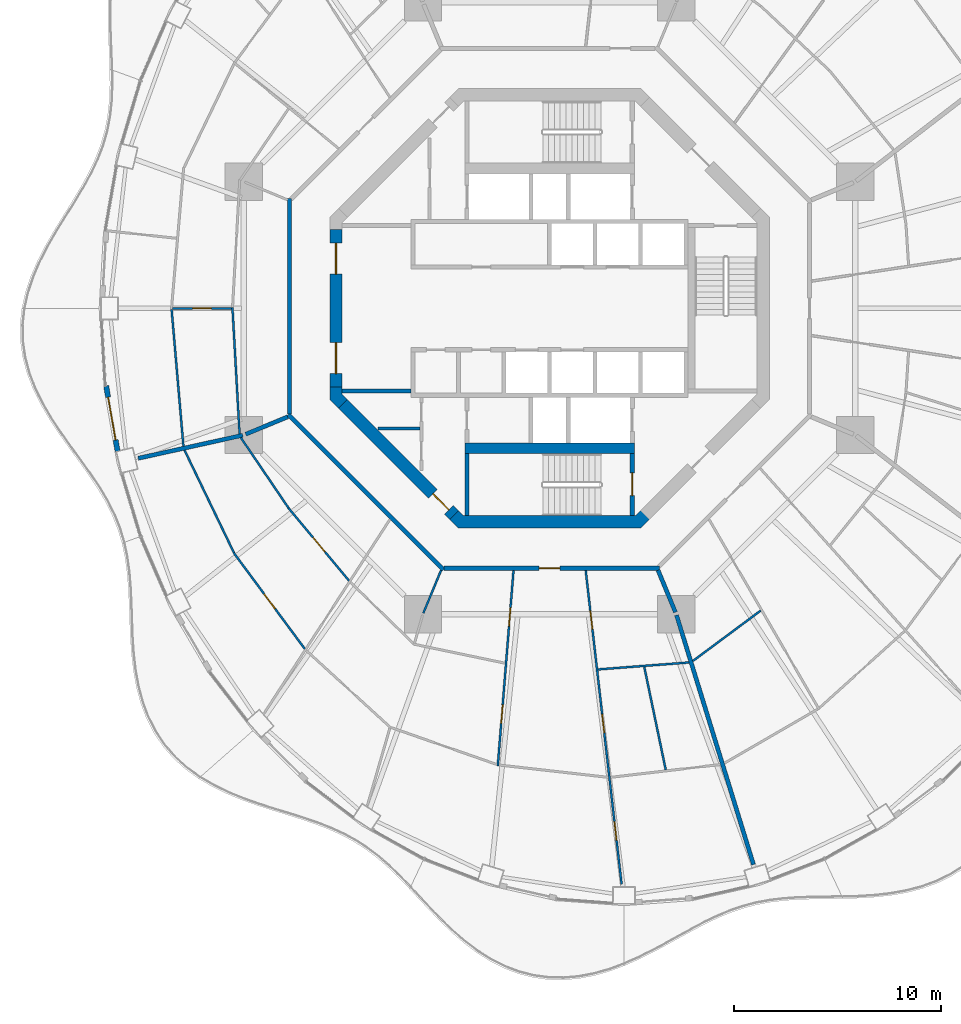
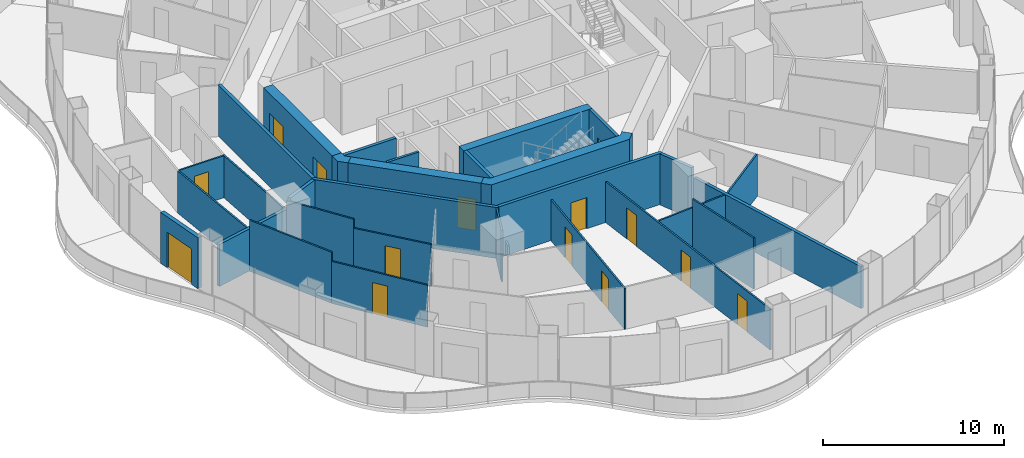
# One storey, part 11 of 19: 30 walls, 14 doors, 14 openings.
"""IFC4 building model written with IfcOpenShell, lengths in metres."""

from ifc_helpers import new_model, si_unit, direction, frame, frame_2d, origin, place, context, subcontext, project, spatial, polyline, rectangle, outline, extrude, material, layer, layer_set, type_object, element, fill, save


model = new_model("IFC4")

# Units and contexts
model_context = context("Model", 3, precision=1e-05, world=origin(), true_north=direction((0.0, 1.0)))
body_context = subcontext(model_context, "Body", "Model", "MODEL_VIEW")
ifc_project = project(units=[si_unit("LENGTHUNIT", "METRE"), si_unit("AREAUNIT", "SQUARE_METRE"), si_unit("VOLUMEUNIT", "CUBIC_METRE"), si_unit("PLANEANGLEUNIT", "RADIAN"), si_unit("MASSUNIT", "GRAM", prefix="KILO")], contexts=[model_context])

# Site, building, storey
site_placement = place(None, origin())
site = spatial("IfcSite", under=ifc_project, at=site_placement, CompositionType="ELEMENT")
building_placement = place(site_placement, origin())
building = spatial("IfcBuilding", under=site, at=building_placement, Name="Nagisa Residences", CompositionType="ELEMENT")
storey_placement = place(building_placement, frame((0.0, 0.0, 195.5)))
storey = spatial("IfcBuildingStorey", under=building, at=storey_placement, Name="L49", CompositionType="ELEMENT", Elevation=195.5)

# Walls
ifc_material_1 = material(Name="Gypsum board on steel studs", Category="steel")
ifc_layer_1 = layer(ifc_material_1, 0.199951171875)
ifc_layer_set_1 = layer_set([ifc_layer_1], Name="Apartment compartment wall EI60 200")
wall_type_1 = type_object("IfcWallType", Name="Apartment compartment wall EI60 200", PredefinedType="PARTITIONING", material=ifc_layer_set_1)
wall_1_placement = place(storey_placement, frame((-12.6572265625, -5.24267578125, 0.0), z_axis=(0.0, 0.0, 1.0), x_axis=(-0.923859888513, -0.38273085373, 0.0)))
element("IfcWall", 1, at=wall_1_placement, inside=storey, type_object=wall_type_1, Name="wall:L49:u04", PredefinedType="PARTITIONING", context=body_context, shape_type="SweptSolid", body=[
    extrude(rectangle(XDim=2.199462890625, YDim=0.199951171875, at=frame_2d((1.099609375, 0.0))), origin(), (0.0, 0.0, 1.0), 3.43994140625),
])
wall_2_placement = place(storey_placement, frame((-14.830810546875, -6.133544921875, 0.0), z_axis=(0.0, 0.0, 1.0), x_axis=(-0.976568396888, -0.215207263354, 0.0)))
element("IfcWall", 2, at=wall_2_placement, inside=storey, type_object=wall_type_1, Name="wall:L49:u05", PredefinedType="PARTITIONING", context=body_context, shape_type="SweptSolid", body=[
    extrude(rectangle(XDim=5.176513671875, YDim=0.199951171875, at=frame_2d((2.58837890625, 0.0))), origin(), (0.0, 0.0, 1.0), 2.8369140625),
])
wall_3_placement = place(storey_placement, frame((5.24267578125, -12.6572265625, 0.0), z_axis=(0.0, 0.0, 1.0), x_axis=(0.382747093259, -0.923853160736, 0.0)))
element("IfcWall", 3, at=wall_3_placement, inside=storey, type_object=wall_type_1, Name="wall:L49:u06", PredefinedType="PARTITIONING", context=body_context, shape_type="SweptSolid", body=[
    extrude(rectangle(XDim=2.199951171875, YDim=0.199951171875, at=frame_2d((1.10009765625, 0.0))), origin(), (0.0, 0.0, 1.0), 3.43994140625),
])
wall_4_placement = place(storey_placement, frame((6.1376953125, -14.829833984375, 0.0), z_axis=(0.0, 0.0, 1.0), x_axis=(0.294818517221, -0.955553264818, 0.0)))
element("IfcWall", 4, at=wall_4_placement, inside=storey, type_object=wall_type_1, Name="wall:L49:u07", PredefinedType="PARTITIONING", context=body_context, shape_type="SweptSolid", body=[
    extrude(rectangle(XDim=12.619384765625, YDim=0.199951171875, at=frame_2d((6.3095703125, 0.0))), origin(), (0.0, 0.0, 1.0), 2.8369140625),
])
ifc_material_2 = material(Name="Gypsum board on steel studs", Category="steel")
ifc_layer_2 = layer(ifc_material_2, 0.199951171875)
ifc_layer_set_2 = layer_set([ifc_layer_2], Name="Apartment entry wall EI60 200")
wall_type_2 = type_object("IfcWallType", Name="Apartment entry wall EI60 200", PredefinedType="PARTITIONING", material=ifc_layer_set_2)
wall_5_placement = place(storey_placement, frame((-12.564697265625, 5.304443359375, 0.0), z_axis=(0.0, 0.0, 1.0), x_axis=(0.0, -1.0, 0.0)))
element("IfcWall", 5, at=wall_5_placement, inside=storey, type_object=wall_type_2, Name="wall:L49:u14", PredefinedType="PARTITIONING", context=body_context, shape_type="SweptSolid", body=[
    extrude(rectangle(XDim=10.408935546875, YDim=0.199951171875, at=frame_2d((5.20458984375, 0.0))), origin(), (0.0, 0.0, 1.0), 3.43994140625),
])
wall_6_placement = place(storey_placement, frame((-12.635498046875, -5.1337890625, 0.0), z_axis=(0.0, 0.0, 1.0), x_axis=(0.707106781187, -0.707106781187, 0.0)))
element("IfcWall", 6, at=wall_6_placement, inside=storey, type_object=wall_type_2, Name="wall:L49:u15", PredefinedType="PARTITIONING", context=body_context, shape_type="SweptSolid", body=[
    extrude(rectangle(XDim=10.609130859375, YDim=0.199951171875, at=frame_2d((5.3046875, 0.0))), origin(), (0.0, 0.0, 1.0), 3.43994140625),
])

# Wall, opening, door
wall_7_placement = place(storey_placement, frame((-5.1044921875, -12.564697265625, 0.0), z_axis=(0.0, 0.0, 1.0), x_axis=(1.0, 0.0, 0.0)))
wall_7 = element("IfcWall", 7, at=wall_7_placement, inside=storey, type_object=wall_type_2, Name="wall:L49:u16", PredefinedType="PARTITIONING", context=body_context, shape_type="SweptSolid", body=[
    extrude(rectangle(XDim=10.408935546875, YDim=0.199951171875, at=frame_2d((5.20458984375, 0.0))), origin(), (0.0, 0.0, 1.0), 3.43994140625),
])
opening_1_placement = place(wall_7_placement, frame((4.6044921875, 0.0, 0.0)))
opening_1 = element("IfcOpeningElement", 8, at=opening_1_placement, cuts=wall_7, Name="Opening L49-U01", PredefinedType="OPENING", context=body_context, shape_type="SweptSolid", body=[
    extrude(rectangle(XDim=1.0, YDim=2.10009765625, at=frame_2d((0.5, 1.050048828125))), frame((0.0, 0.10986328125, 0.0), z_axis=(0.0, -1.0, 0.0), x_axis=(1.0, 0.0, 0.0)), (0.0, 0.0, 1.0), 0.219970703125),
])
ifc_material_3 = material(Name="Timber fire door set", Category="wood")
door_type_1 = type_object("IfcDoorType", Name="Apartment entry door FD30S 1000x2100", OperationType="NOTDEFINED", PredefinedType="DOOR", material=ifc_material_3)
door_1_placement = place(opening_1_placement, frame((1.0, 0.0, 0.0), x_axis=(-1.0, 0.0, 0.0)))
door_1 = element("IfcDoor", 9, at=door_1_placement, inside=storey, type_object=door_type_1, Name="Entry door, Apartment 49A", OperationType="SINGLE_SWING_RIGHT", OverallHeight=2.10009765625, OverallWidth=1.0, PredefinedType="DOOR", context=body_context, shape_type="SweptSolid", body=[
    extrude(rectangle(XDim=1.0, YDim=2.10009765625, at=frame_2d((0.5, 1.050048828125))), frame((0.0, 0.02490234375, 0.0), z_axis=(0.0, -1.0, 0.0), x_axis=(1.0, 0.0, 0.0)), (0.0, 0.0, 1.0), 0.050048828125),
])
fill(opening_1, door_1)

ifc_material_4 = material(Name="Gypsum board on steel studs", Category="steel")
ifc_layer_3 = layer(ifc_material_4, 0.10009765625)
ifc_layer_set_3 = layer_set([ifc_layer_3], Name="Apartment partition 100")
wall_type_3 = type_object("IfcWallType", Name="Apartment partition 100", PredefinedType="PARTITIONING", material=ifc_layer_set_3)
wall_8_placement = place(storey_placement, frame((-15.3779296875, 0.0, 0.0), z_axis=(0.0, 0.0, 1.0), x_axis=(-1.0, 0.0, 0.0)))
wall_8 = element("IfcWall", 10, at=wall_8_placement, inside=storey, type_object=wall_type_3, Name="wall:L49:u55", PredefinedType="PARTITIONING", context=body_context, shape_type="SweptSolid", body=[
    extrude(rectangle(XDim=2.84716796875, YDim=0.10009765625, at=frame_2d((1.423583984375, 0.0))), origin(), (0.0, 0.0, 1.0), 2.8369140625),
])
opening_2_placement = place(wall_8_placement, frame((0.9736328125, 0.0, 0.0)))
opening_2 = element("IfcOpeningElement", 11, at=opening_2_placement, cuts=wall_8, Name="Opening L49-U48", PredefinedType="OPENING", context=body_context, shape_type="SweptSolid", body=[
    extrude(rectangle(XDim=0.89990234375, YDim=2.10009765625, at=frame_2d((0.449951171875, 1.050048828125))), frame((0.0, 0.06005859375, 0.0), z_axis=(0.0, -1.0, 0.0), x_axis=(1.0, 0.0, 0.0)), (0.0, 0.0, 1.0), 0.1201171875),
])
ifc_material_5 = material(Name="Timber door set", Category="wood")
door_type_2 = type_object("IfcDoorType", Name="Apartment door 900x2100", OperationType="NOTDEFINED", PredefinedType="DOOR", material=ifc_material_5)
door_2_placement = place(opening_2_placement, origin())
door_2 = element("IfcDoor", 12, at=door_2_placement, inside=storey, type_object=door_type_2, Name="Door to study, Apartment 49E", OperationType="SINGLE_SWING_RIGHT", OverallHeight=2.10009765625, OverallWidth=0.89990234375, PredefinedType="DOOR", context=body_context, shape_type="SweptSolid", body=[
    extrude(rectangle(XDim=0.89990234375, YDim=2.10009765625, at=frame_2d((0.449951171875, 1.050048828125))), frame((0.0, 0.02490234375, 0.0), z_axis=(0.0, -1.0, 0.0), x_axis=(1.0, 0.0, 0.0)), (0.0, 0.0, 1.0), 0.050048828125),
])
fill(opening_2, door_2)

# Walls
wall_9_placement = place(storey_placement, frame((-15.33056640625, 0.0498046875, 0.0), z_axis=(0.0, 0.0, 1.0), x_axis=(0.056310939406, -0.998413280212, 0.0)))
element("IfcWall", 13, at=wall_9_placement, inside=storey, type_object=wall_type_3, Name="wall:L49:u56", PredefinedType="PARTITIONING", context=body_context, shape_type="SweptSolid", body=[
    extrude(rectangle(XDim=6.126220703125, YDim=0.10009765625, at=frame_2d((3.06298828125, 0.0))), origin(), (0.0, 0.0, 1.0), 2.8369140625),
])
wall_10_placement = place(storey_placement, frame((-18.270751953125, -0.0498046875, 0.0), z_axis=(0.0, 0.0, 1.0), x_axis=(0.086012321907, -0.996294073294, 0.0)))
element("IfcWall", 14, at=wall_10_placement, inside=storey, type_object=wall_type_3, Name="wall:L49:u57", PredefinedType="PARTITIONING", context=body_context, shape_type="SweptSolid", body=[
    extrude(rectangle(XDim=6.63916015625, YDim=0.10009765625, at=frame_2d((3.319580078125, 0.0))), origin(), (0.0, 0.0, 1.0), 2.8369140625),
])
wall_11_placement = place(storey_placement, frame((-14.923828125, -6.249267578125, 0.0), z_axis=(0.0, 0.0, 1.0), x_axis=(0.561046521684, -0.82778427172, 0.0)))
element("IfcWall", 15, at=wall_11_placement, inside=storey, type_object=wall_type_3, Name="wall:L49:u58", PredefinedType="PARTITIONING", context=body_context, shape_type="SweptSolid", body=[
    extrude(rectangle(XDim=4.108642578125, YDim=0.10009765625, at=frame_2d((2.05419921875, 0.0))), origin(), (0.0, 0.0, 1.0), 3.43994140625),
])
wall_12_placement = place(storey_placement, frame((-17.6474609375, -6.85400390625, 0.0), z_axis=(0.0, 0.0, 1.0), x_axis=(0.434027506504, -0.900899619046, 0.0)))
element("IfcWall", 16, at=wall_12_placement, inside=storey, type_object=wall_type_3, Name="wall:L49:u59", PredefinedType="PARTITIONING", context=body_context, shape_type="SweptSolid", body=[
    extrude(rectangle(XDim=5.508056640625, YDim=0.10009765625, at=frame_2d((2.75390625, 0.0))), origin(), (0.0, 0.0, 1.0), 3.43994140625),
])

# Wall, opening, door
wall_13_placement = place(storey_placement, frame((-12.62255859375, -9.6533203125, 0.0), z_axis=(0.0, 0.0, 1.0), x_axis=(0.640315711982, -0.768111833647, 0.0)))
wall_13 = element("IfcWall", 17, at=wall_13_placement, inside=storey, type_object=wall_type_3, Name="wall:L49:u60", PredefinedType="PARTITIONING", context=body_context, shape_type="SweptSolid", body=[
    extrude(rectangle(XDim=4.571533203125, YDim=0.10009765625, at=frame_2d((2.28564453125, 0.0))), origin(), (0.0, 0.0, 1.0), 2.8369140625),
])
opening_3_placement = place(wall_13_placement, frame((1.86083984375, 0.0, 0.0)))
opening_3 = element("IfcOpeningElement", 18, at=opening_3_placement, cuts=wall_13, Name="Opening L49-U13", PredefinedType="OPENING", context=body_context, shape_type="SweptSolid", body=[
    extrude(rectangle(XDim=0.89990234375, YDim=2.10009765625, at=frame_2d((0.449951171875, 1.050048828125))), frame((0.0, 0.06005859375, 0.0), z_axis=(0.0, -1.0, 0.0), x_axis=(1.0, 0.0, 0.0)), (0.0, 0.0, 1.0), 0.1201171875),
])
door_3_placement = place(opening_3_placement, origin())
door_3 = element("IfcDoor", 19, at=door_3_placement, inside=storey, type_object=door_type_2, Name="Door to store, Apartment 49A", OperationType="SINGLE_SWING_LEFT", OverallHeight=2.10009765625, OverallWidth=0.89990234375, PredefinedType="DOOR", context=body_context, shape_type="SweptSolid", body=[
    extrude(rectangle(XDim=0.89990234375, YDim=2.10009765625, at=frame_2d((0.449951171875, 1.050048828125))), frame((0.0, 0.02490234375, 0.0), z_axis=(0.0, -1.0, 0.0), x_axis=(1.0, 0.0, 0.0)), (0.0, 0.0, 1.0), 0.050048828125),
])
fill(opening_3, door_3)

wall_14_placement = place(storey_placement, frame((-15.264892578125, -11.821044921875, 0.0), z_axis=(0.0, 0.0, 1.0), x_axis=(0.594721645029, -0.803931691709, 0.0)))
wall_14 = element("IfcWall", 20, at=wall_14_placement, inside=storey, type_object=wall_type_3, Name="wall:L49:u61", PredefinedType="PARTITIONING", context=body_context, shape_type="SweptSolid", body=[
    extrude(rectangle(XDim=5.771728515625, YDim=0.10009765625, at=frame_2d((2.8857421875, 0.0))), origin(), (0.0, 0.0, 1.0), 2.8369140625),
])
opening_4_placement = place(wall_14_placement, frame((2.460693359375, 0.0, 0.0)))
opening_4 = element("IfcOpeningElement", 21, at=opening_4_placement, cuts=wall_14, Name="Opening L49-U12", PredefinedType="OPENING", context=body_context, shape_type="SweptSolid", body=[
    extrude(rectangle(XDim=0.89990234375, YDim=2.10009765625, at=frame_2d((0.449951171875, 1.050048828125))), frame((0.0, 0.06005859375, 0.0), z_axis=(0.0, -1.0, 0.0), x_axis=(1.0, 0.0, 0.0)), (0.0, 0.0, 1.0), 0.1201171875),
])
door_4_placement = place(opening_4_placement, frame((0.89990234375, 0.0, 0.0), x_axis=(-1.0, 0.0, 0.0)))
door_4 = element("IfcDoor", 22, at=door_4_placement, inside=storey, type_object=door_type_2, Name="Door to living room, Apartment 49A", OperationType="SINGLE_SWING_LEFT", OverallHeight=2.10009765625, OverallWidth=0.89990234375, PredefinedType="DOOR", context=body_context, shape_type="SweptSolid", body=[
    extrude(rectangle(XDim=0.89990234375, YDim=2.10009765625, at=frame_2d((0.449951171875, 1.050048828125))), frame((0.0, 0.02490234375, 0.0), z_axis=(0.0, -1.0, 0.0), x_axis=(1.0, 0.0, 0.0)), (0.0, 0.0, 1.0), 0.050048828125),
])
fill(opening_4, door_4)

# Wall
wall_15_placement = place(storey_placement, frame((-5.24267578125, -12.6572265625, 0.0), z_axis=(0.0, 0.0, 1.0), x_axis=(-0.382719158442, -0.923864733477, 0.0)))
element("IfcWall", 23, at=wall_15_placement, inside=storey, type_object=wall_type_3, Name="wall:L49:u65", PredefinedType="PARTITIONING", context=body_context, shape_type="SweptSolid", body=[
    extrude(rectangle(XDim=2.25, YDim=0.10009765625, at=frame_2d((1.125, 0.0))), origin(), (0.0, 0.0, 1.0), 3.43994140625),
])

# Wall, openings, doors
wall_16_placement = place(storey_placement, frame((-1.742919921875, -12.66455078125, 0.0), z_axis=(0.0, 0.0, 1.0), x_axis=(-0.080170892619, -0.996781133437, 0.0)))
wall_16 = element("IfcWall", 24, at=wall_16_placement, inside=storey, type_object=wall_type_3, Name="wall:L49:u70", PredefinedType="PARTITIONING", context=body_context, shape_type="SweptSolid", body=[
    extrude(rectangle(XDim=9.48291015625, YDim=0.10009765625, at=frame_2d((4.741455078125, 0.0))), origin(), (0.0, 0.0, 1.0), 2.756103515625),
])
opening_5_placement = place(wall_16_placement, frame((1.806396484375, 0.0, 0.0)))
opening_5 = element("IfcOpeningElement", 25, at=opening_5_placement, cuts=wall_16, Name="Opening L49-U02", PredefinedType="OPENING", context=body_context, shape_type="SweptSolid", body=[
    extrude(rectangle(XDim=0.89990234375, YDim=2.10009765625, at=frame_2d((0.449951171875, 1.050048828125))), frame((0.0, 0.06005859375, 0.0), z_axis=(0.0, -1.0, 0.0), x_axis=(1.0, 0.0, 0.0)), (0.0, 0.0, 1.0), 0.1201171875),
])
opening_6_placement = place(wall_16_placement, frame((6.52294921875, 0.0, 0.0)))
opening_6 = element("IfcOpeningElement", 26, at=opening_6_placement, cuts=wall_16, Name="Opening L49-U04", PredefinedType="OPENING", context=body_context, shape_type="SweptSolid", body=[
    extrude(rectangle(XDim=0.89990234375, YDim=2.10009765625, at=frame_2d((0.449951171875, 1.050048828125))), frame((0.0, 0.06005859375, 0.0), z_axis=(0.0, -1.0, 0.0), x_axis=(1.0, 0.0, 0.0)), (0.0, 0.0, 1.0), 0.1201171875),
])
door_5_placement = place(opening_5_placement, frame((0.89990234375, 0.0, 0.0), x_axis=(-1.0, 0.0, 0.0)))
door_5 = element("IfcDoor", 27, at=door_5_placement, inside=storey, type_object=door_type_2, Name="Door to family bathroom, Apartment 49A", OperationType="SINGLE_SWING_LEFT", OverallHeight=2.10009765625, OverallWidth=0.89990234375, PredefinedType="DOOR", context=body_context, shape_type="SweptSolid", body=[
    extrude(rectangle(XDim=0.89990234375, YDim=2.10009765625, at=frame_2d((0.449951171875, 1.050048828125))), frame((0.0, 0.02490234375, 0.0), z_axis=(0.0, -1.0, 0.0), x_axis=(1.0, 0.0, 0.0)), (0.0, 0.0, 1.0), 0.050048828125),
])
fill(opening_5, door_5)
door_6_placement = place(opening_6_placement, frame((0.89990234375, 0.0, 0.0), x_axis=(-1.0, 0.0, 0.0)))
door_6 = element("IfcDoor", 28, at=door_6_placement, inside=storey, type_object=door_type_2, Name="Door to dining room, Apartment 49A", OperationType="SINGLE_SWING_LEFT", OverallHeight=2.10009765625, OverallWidth=0.89990234375, PredefinedType="DOOR", context=body_context, shape_type="SweptSolid", body=[
    extrude(rectangle(XDim=0.89990234375, YDim=2.10009765625, at=frame_2d((0.449951171875, 1.050048828125))), frame((0.0, 0.02490234375, 0.0), z_axis=(0.0, -1.0, 0.0), x_axis=(1.0, 0.0, 0.0)), (0.0, 0.0, 1.0), 0.050048828125),
])
fill(opening_6, door_6)

wall_17_placement = place(storey_placement, frame((1.74609375, -12.6640625, 0.0), z_axis=(0.0, 0.0, 1.0), x_axis=(0.113624134758, -0.993523807465, 0.0)))
wall_17 = element("IfcWall", 29, at=wall_17_placement, inside=storey, type_object=wall_type_3, Name="wall:L49:u72", PredefinedType="PARTITIONING", context=body_context, shape_type="SweptSolid", body=[
    extrude(rectangle(XDim=15.272705078125, YDim=0.10009765625, at=frame_2d((7.63623046875, 0.0))), origin(), (0.0, 0.0, 1.0), 2.756103515625),
])
opening_7_placement = place(wall_17_placement, frame((1.96240234375, 0.0, 0.0)))
opening_7 = element("IfcOpeningElement", 30, at=opening_7_placement, cuts=wall_17, Name="Opening L49-U03", PredefinedType="OPENING", context=body_context, shape_type="SweptSolid", body=[
    extrude(rectangle(XDim=0.89990234375, YDim=2.10009765625, at=frame_2d((0.449951171875, 1.050048828125))), frame((0.0, 0.06005859375, 0.0), z_axis=(0.0, -1.0, 0.0), x_axis=(1.0, 0.0, 0.0)), (0.0, 0.0, 1.0), 0.1201171875),
])
opening_8_placement = place(wall_17_placement, frame((7.001708984375, 0.0, 0.0)))
opening_8 = element("IfcOpeningElement", 31, at=opening_8_placement, cuts=wall_17, Name="Opening L49-U05", PredefinedType="OPENING", context=body_context, shape_type="SweptSolid", body=[
    extrude(rectangle(XDim=0.89990234375, YDim=2.10009765625, at=frame_2d((0.449951171875, 1.050048828125))), frame((0.0, 0.06005859375, 0.0), z_axis=(0.0, -1.0, 0.0), x_axis=(1.0, 0.0, 0.0)), (0.0, 0.0, 1.0), 0.1201171875),
])
opening_9_placement = place(wall_17_placement, frame((12.2255859375, 0.0, 0.0)))
opening_9 = element("IfcOpeningElement", 32, at=opening_9_placement, cuts=wall_17, Name="Opening L49-U08", PredefinedType="OPENING", context=body_context, shape_type="SweptSolid", body=[
    extrude(rectangle(XDim=0.89990234375, YDim=2.10009765625, at=frame_2d((0.449951171875, 1.050048828125))), frame((0.0, 0.06005859375, 0.0), z_axis=(0.0, -1.0, 0.0), x_axis=(1.0, 0.0, 0.0)), (0.0, 0.0, 1.0), 0.1201171875),
])
door_7_placement = place(opening_7_placement, origin())
door_7 = element("IfcDoor", 33, at=door_7_placement, inside=storey, type_object=door_type_2, Name="Door to laundry, Apartment 49A", OperationType="SINGLE_SWING_LEFT", OverallHeight=2.10009765625, OverallWidth=0.89990234375, PredefinedType="DOOR", context=body_context, shape_type="SweptSolid", body=[
    extrude(rectangle(XDim=0.89990234375, YDim=2.10009765625, at=frame_2d((0.449951171875, 1.050048828125))), frame((0.0, 0.02490234375, 0.0), z_axis=(0.0, -1.0, 0.0), x_axis=(1.0, 0.0, 0.0)), (0.0, 0.0, 1.0), 0.050048828125),
])
fill(opening_7, door_7)
door_8_placement = place(opening_8_placement, origin())
door_8 = element("IfcDoor", 34, at=door_8_placement, inside=storey, type_object=door_type_2, Name="Door to family bathroom, Apartment 49A", OperationType="SINGLE_SWING_LEFT", OverallHeight=2.10009765625, OverallWidth=0.89990234375, PredefinedType="DOOR", context=body_context, shape_type="SweptSolid", body=[
    extrude(rectangle(XDim=0.89990234375, YDim=2.10009765625, at=frame_2d((0.449951171875, 1.050048828125))), frame((0.0, 0.02490234375, 0.0), z_axis=(0.0, -1.0, 0.0), x_axis=(1.0, 0.0, 0.0)), (0.0, 0.0, 1.0), 0.050048828125),
])
fill(opening_8, door_8)
door_9_placement = place(opening_9_placement, origin())
door_9 = element("IfcDoor", 35, at=door_9_placement, inside=storey, type_object=door_type_2, Name="Door to bedroom, Apartment 49A", OperationType="SINGLE_SWING_RIGHT", OverallHeight=2.10009765625, OverallWidth=0.89990234375, PredefinedType="DOOR", context=body_context, shape_type="SweptSolid", body=[
    extrude(rectangle(XDim=0.89990234375, YDim=2.10009765625, at=frame_2d((0.449951171875, 1.050048828125))), frame((0.0, 0.02490234375, 0.0), z_axis=(0.0, -1.0, 0.0), x_axis=(1.0, 0.0, 0.0)), (0.0, 0.0, 1.0), 0.050048828125),
])
fill(opening_9, door_9)

# Walls
wall_18_placement = place(storey_placement, frame((2.34423828125, -17.4541015625, 0.0), z_axis=(0.0, 0.0, 1.0), x_axis=(0.997077237751, 0.076400143703, 0.0)))
element("IfcWall", 36, at=wall_18_placement, inside=storey, type_object=wall_type_3, Name="wall:L49:u73", PredefinedType="PARTITIONING", context=body_context, shape_type="SweptSolid", body=[
    extrude(rectangle(XDim=4.409912109375, YDim=0.10009765625, at=frame_2d((2.205078125, 0.0))), origin(), (0.0, 0.0, 1.0), 2.8369140625),
])
wall_19_placement = place(storey_placement, frame((4.577880859375, -17.33251953125, 0.0), z_axis=(0.0, 0.0, 1.0), x_axis=(0.204264950279, -0.978915639924, 0.0)))
element("IfcWall", 37, at=wall_19_placement, inside=storey, type_object=wall_type_3, Name="wall:L49:u75", PredefinedType="PARTITIONING", context=body_context, shape_type="SweptSolid", body=[
    extrude(rectangle(XDim=5.083251953125, YDim=0.10009765625, at=frame_2d((2.54150390625, 0.0))), origin(), (0.0, 0.0, 1.0), 3.43994140625),
])
wall_20_placement = place(storey_placement, frame((6.92138671875, -17.0498046875, 0.0), z_axis=(0.0, 0.0, 1.0), x_axis=(0.802769141821, 0.596289950394, 0.0)))
element("IfcWall", 38, at=wall_20_placement, inside=storey, type_object=wall_type_3, Name="wall:L49:u76", PredefinedType="PARTITIONING", context=body_context, shape_type="SweptSolid", body=[
    extrude(rectangle(XDim=4.09228515625, YDim=0.10009765625, at=frame_2d((2.046142578125, 0.0))), origin(), (0.0, 0.0, 1.0), 2.8369140625),
])

# Wall, opening, door
ifc_material_6 = material(Name="Precast concrete C40/50", Category="concrete")
ifc_layer_4 = layer(ifc_material_6, 0.25)
ifc_layer_set_4 = layer_set([ifc_layer_4], Name="BALCONY DOOR WALL 250")
wall_type_4 = type_object("IfcWallType", Name="BALCONY DOOR WALL 250", PredefinedType="SOLIDWALL", material=ifc_layer_set_4)
wall_21_placement = place(storey_placement, frame((-20.8818359375, -6.91015625, 0.0), z_axis=(0.0, 0.0, 1.0), x_axis=(-0.172223552479, 0.98505789067, 0.0)))
wall_21 = element("IfcWall", 39, at=wall_21_placement, inside=storey, type_object=wall_type_4, Name="wall:L49:bay25", PredefinedType="SOLIDWALL", context=body_context, shape_type="SweptSolid", body=[
    extrude(rectangle(XDim=3.2109375, YDim=0.25, at=frame_2d((1.60546875, 0.0))), origin(), (0.0, 0.0, 1.0), 3.43994140625),
])
opening_10_placement = place(wall_21_placement, frame((0.555419921875, 0.0, 0.0)))
opening_10 = element("IfcOpeningElement", 40, at=opening_10_placement, cuts=wall_21, Name="Opening BD-L49-09", PredefinedType="OPENING", context=body_context, shape_type="SweptSolid", body=[
    extrude(rectangle(XDim=2.10009765625, YDim=2.39990234375, at=frame_2d((1.050048828125, 1.199951171875))), frame((0.0, 0.135009765625, 0.0), z_axis=(0.0, -1.0, 0.0), x_axis=(1.0, 0.0, 0.0)), (0.0, 0.0, 1.0), 0.27001953125),
])
ifc_material_7 = material(Name="Aluminium and clear glass", Category="aluminium")
door_type_3 = type_object("IfcDoorType", Name="BALCONY SLIDING DOOR 2100x2400", OperationType="SLIDING_TO_LEFT", PredefinedType="DOOR", material=ifc_material_7)
door_10_placement = place(opening_10_placement, origin())
door_10 = element("IfcDoor", 41, at=door_10_placement, inside=storey, type_object=door_type_3, Name="door:L49:bay25", OperationType="SLIDING_TO_LEFT", OverallHeight=2.39990234375, OverallWidth=2.10009765625, PredefinedType="DOOR", context=body_context, shape_type="SweptSolid", body=[
    extrude(rectangle(XDim=2.10009765625, YDim=2.39990234375, at=frame_2d((1.050048828125, 1.199951171875))), frame((0.0, 0.02490234375, 0.0), z_axis=(0.0, -1.0, 0.0), x_axis=(1.0, 0.0, 0.0)), (0.0, 0.0, 1.0), 0.050048828125),
])
fill(opening_10, door_10)

# Walls
ifc_material_8 = material(Name="Gypsum board on steel studs", Category="steel")
ifc_layer_5 = layer(ifc_material_8, 0.14990234375)
ifc_layer_set_5 = layer_set([ifc_layer_5], Name="Core partition 150")
wall_type_5 = type_object("IfcWallType", Name="Core partition 150", PredefinedType="PARTITIONING", material=ifc_layer_set_5)
wall_22_placement = place(storey_placement, frame((-8.301025390625, -5.800048828125, 0.0), z_axis=(0.0, 0.0, 1.0), x_axis=(1.0, 0.0, 0.0)))
element("IfcWall", 42, at=wall_22_placement, inside=storey, type_object=wall_type_5, Name="wall:L49:SWq", PredefinedType="PARTITIONING", context=body_context, shape_type="SweptSolid", body=[
    extrude(rectangle(XDim=2.026123046875, YDim=0.14990234375, at=frame_2d((1.01318359375, 0.0))), origin(), (0.0, 0.0, 1.0), 3.43994140625),
])
ifc_material_9 = material(Name="Gypsum board on steel studs", Category="steel")
ifc_layer_6 = layer(ifc_material_9, 0.199951171875)
ifc_layer_set_6 = layer_set([ifc_layer_6], Name="Core partition 200")
wall_type_6 = type_object("IfcWallType", Name="Core partition 200", PredefinedType="PARTITIONING", material=ifc_layer_set_6)
wall_23_placement = place(storey_placement, frame((-10.024658203125, -4.0, 0.0), z_axis=(0.0, 0.0, 1.0), x_axis=(1.0, 0.0, 0.0)))
element("IfcWall", 43, at=wall_23_placement, inside=storey, type_object=wall_type_6, Name="wall:L49:PSW", PredefinedType="PARTITIONING", context=body_context, shape_type="SweptSolid", body=[
    extrude(rectangle(XDim=3.32470703125, YDim=0.199951171875, at=frame_2d((1.662353515625, 0.0))), origin(), (0.0, 0.0, 1.0), 3.43994140625),
])

# Wall, openings, doors
ifc_material_10 = material(Name="Concrete C60", Category="concrete")
ifc_layer_7 = layer(ifc_material_10, 0.60009765625)
ifc_layer_set_7 = layer_set([ifc_layer_7], Name="Core shear wall 600")
wall_type_7 = type_object("IfcWallType", Name="Core shear wall 600", PredefinedType="SHEAR", material=ifc_layer_set_7)
wall_24_placement = place(storey_placement, frame((-10.32470703125, 3.80078125, 0.0), z_axis=(0.0, 0.0, 1.0), x_axis=(0.0, -1.0, 0.0)))
wall_24 = element("IfcWall", 44, at=wall_24_placement, inside=storey, type_object=wall_type_7, Name="wall:L49:core:flat4", PredefinedType="SHEAR", context=body_context, shape_type="SweptSolid", body=[
    extrude(rectangle(XDim=7.6015625, YDim=0.60009765625, at=frame_2d((3.80078125, 0.0))), origin(), (0.0, 0.0, 1.0), 3.43994140625),
])
opening_11_placement = place(wall_24_placement, frame((0.65087890625, 0.0, 0.0)))
opening_11 = element("IfcOpeningElement", 45, at=opening_11_placement, cuts=wall_24, Name="Opening L49-C20", PredefinedType="OPENING", context=body_context, shape_type="SweptSolid", body=[
    extrude(rectangle(XDim=1.5, YDim=2.10009765625, at=frame_2d((0.75, 1.050048828125))), frame((0.0, 0.31005859375, 0.0), z_axis=(0.0, -1.0, 0.0), x_axis=(1.0, 0.0, 0.0)), (0.0, 0.0, 1.0), 0.6201171875),
])
opening_12_placement = place(wall_24_placement, frame((5.450927734375, 0.0, 0.0)))
opening_12 = element("IfcOpeningElement", 46, at=opening_12_placement, cuts=wall_24, Name="Opening L49-C21", PredefinedType="OPENING", context=body_context, shape_type="SweptSolid", body=[
    extrude(rectangle(XDim=1.5, YDim=2.10009765625, at=frame_2d((0.75, 1.050048828125))), frame((0.0, 0.31005859375, 0.0), z_axis=(0.0, -1.0, 0.0), x_axis=(1.0, 0.0, 0.0)), (0.0, 0.0, 1.0), 0.6201171875),
])
ifc_material_11 = material(Name="Steel fire door", Category="steel")
door_type_4 = type_object("IfcDoorType", Name="Fire door EI60 1500x2100 double door single swing", OperationType="DOUBLE_DOOR_SINGLE_SWING", PredefinedType="DOOR", material=ifc_material_11)
door_11_placement = place(opening_11_placement, origin())
door_11 = element("IfcDoor", 47, at=door_11_placement, inside=storey, type_object=door_type_4, Name="Lift lobby door L49 1", OperationType="DOUBLE_DOOR_SINGLE_SWING", OverallHeight=2.10009765625, OverallWidth=1.5, PredefinedType="DOOR", context=body_context, shape_type="SweptSolid", body=[
    extrude(rectangle(XDim=1.5, YDim=2.10009765625, at=frame_2d((0.75, 1.050048828125))), frame((0.0, 0.02490234375, 0.0), z_axis=(0.0, -1.0, 0.0), x_axis=(1.0, 0.0, 0.0)), (0.0, 0.0, 1.0), 0.050048828125),
])
fill(opening_11, door_11)
door_12_placement = place(opening_12_placement, origin())
door_12 = element("IfcDoor", 48, at=door_12_placement, inside=storey, type_object=door_type_4, Name="Lift lobby door L49 2", OperationType="DOUBLE_DOOR_SINGLE_SWING", OverallHeight=2.10009765625, OverallWidth=1.5, PredefinedType="DOOR", context=body_context, shape_type="SweptSolid", body=[
    extrude(rectangle(XDim=1.5, YDim=2.10009765625, at=frame_2d((0.75, 1.050048828125))), frame((0.0, 0.02490234375, 0.0), z_axis=(0.0, -1.0, 0.0), x_axis=(1.0, 0.0, 0.0)), (0.0, 0.0, 1.0), 0.050048828125),
])
fill(opening_12, door_12)

# Wall, opening, door
wall_25_placement = place(storey_placement, frame((-9.98828125, -4.613037109375, 0.0), z_axis=(0.0, 0.0, 1.0), x_axis=(0.707106781187, -0.707106781187, 0.0)))
wall_25 = element("IfcWall", 49, at=wall_25_placement, inside=storey, type_object=wall_type_7, Name="wall:L49:core:flat5", PredefinedType="SHEAR", context=body_context, shape_type="SweptSolid", body=[
    extrude(rectangle(XDim=7.601806640625, YDim=0.60009765625, at=frame_2d((3.80078125, 0.0))), origin(), (0.0, 0.0, 1.0), 3.43994140625),
])
opening_13_placement = place(wall_25_placement, frame((6.15087890625, 0.0, 0.0)))
opening_13 = element("IfcOpeningElement", 50, at=opening_13_placement, cuts=wall_25, Name="Opening L49-C23", PredefinedType="OPENING", context=body_context, shape_type="SweptSolid", body=[
    extrude(rectangle(XDim=1.10009765625, YDim=2.10009765625, at=frame_2d((0.550048828125, 1.050048828125))), frame((0.0, 0.31005859375, 0.0), z_axis=(0.0, -1.0, 0.0), x_axis=(1.0, 0.0, 0.0)), (0.0, 0.0, 1.0), 0.6201171875),
])
ifc_material_12 = material(Name="Steel fire door", Category="steel")
door_type_5 = type_object("IfcDoorType", Name="Fire door EI60 1100x2100 single swing", OperationType="NOTDEFINED", PredefinedType="DOOR", material=ifc_material_12)
door_13_placement = place(opening_13_placement, origin())
door_13 = element("IfcDoor", 51, at=door_13_placement, inside=storey, type_object=door_type_5, Name="Housekeeping lobby door L49", OperationType="SINGLE_SWING_RIGHT", OverallHeight=2.10009765625, OverallWidth=1.10009765625, PredefinedType="DOOR", context=body_context, shape_type="SweptSolid", body=[
    extrude(rectangle(XDim=1.10009765625, YDim=2.10009765625, at=frame_2d((0.550048828125, 1.050048828125))), frame((0.0, 0.02490234375, 0.0), z_axis=(0.0, -1.0, 0.0), x_axis=(1.0, 0.0, 0.0)), (0.0, 0.0, 1.0), 0.050048828125),
])
fill(opening_13, door_13)

# Walls
wall_26_placement = place(storey_placement, origin())
element("IfcWall", 52, at=wall_26_placement, inside=storey, type_object=wall_type_7, Name="wall:L49:core:pier4", PredefinedType="SHEAR", context=body_context, shape_type="SweptSolid", body=[
    extrude(outline(polyline([(-10.62451171875, -3.80078125), (-10.024658203125, -3.80078125), (-10.024658203125, -4.15234375), (-9.776123046875, -4.40087890625), (-10.200439453125, -4.8251953125), (-10.62451171875, -4.40087890625), (-10.62451171875, -3.80078125)])), origin(), (0.0, 0.0, 1.0), 3.43994140625),
])
wall_27_placement = place(storey_placement, origin())
element("IfcWall", 53, at=wall_27_placement, inside=storey, type_object=wall_type_7, Name="wall:L49:core:flat6", PredefinedType="SHEAR", context=body_context, shape_type="SweptSolid", body=[
    extrude(outline(polyline([(-4.15234375, -10.024658203125), (4.15234375, -10.024658203125), (4.40087890625, -9.776123046875), (4.8251953125, -10.200439453125), (4.40087890625, -10.62451171875), (-4.40087890625, -10.62451171875), (-4.8251953125, -10.200439453125), (-4.40087890625, -9.776123046875), (-4.15234375, -10.024658203125)])), origin(), (0.0, 0.0, 1.0), 3.43994140625),
])

# Wall, opening, door
ifc_material_13 = material(Name="Concrete C60", Category="concrete")
ifc_layer_8 = layer(ifc_material_13, 0.199951171875)
ifc_layer_set_8 = layer_set([ifc_layer_8], Name="Stair enclosure wall 200")
wall_type_8 = type_object("IfcWallType", Name="Stair enclosure wall 200", PredefinedType="SOLIDWALL", material=ifc_layer_set_8)
wall_28_placement = place(storey_placement, frame((4.0, -10.024658203125, 0.0), z_axis=(0.0, 0.0, 1.0), x_axis=(0.0, 1.0, 0.0)))
wall_28 = element("IfcWall", 54, at=wall_28_placement, inside=storey, type_object=wall_type_8, Name="wall:L49:SS_e", PredefinedType="SOLIDWALL", context=body_context, shape_type="SweptSolid", body=[
    extrude(rectangle(XDim=3.0, YDim=0.199951171875, at=frame_2d((1.5, 0.0))), origin(), (0.0, 0.0, 1.0), 3.43994140625),
])
opening_14_placement = place(wall_28_placement, frame((0.974609375, 0.0, 0.0)))
opening_14 = element("IfcOpeningElement", 55, at=opening_14_placement, cuts=wall_28, Name="Opening L49-C10", PredefinedType="OPENING", context=body_context, shape_type="SweptSolid", body=[
    extrude(rectangle(XDim=1.10009765625, YDim=2.10009765625, at=frame_2d((0.550048828125, 1.050048828125))), frame((0.0, 0.10986328125, 0.0), z_axis=(0.0, -1.0, 0.0), x_axis=(1.0, 0.0, 0.0)), (0.0, 0.0, 1.0), 0.219970703125),
])
ifc_material_14 = material(Name="Steel fire door", Category="steel")
door_type_6 = type_object("IfcDoorType", Name="Fire door EI90 1100x2100 single swing", OperationType="NOTDEFINED", PredefinedType="DOOR", material=ifc_material_14)
door_14_placement = place(opening_14_placement, origin())
door_14 = element("IfcDoor", 56, at=door_14_placement, inside=storey, type_object=door_type_6, Name="Stair door ST-S L49", OperationType="SINGLE_SWING_LEFT", OverallHeight=2.10009765625, OverallWidth=1.10009765625, PredefinedType="DOOR", context=body_context, shape_type="SweptSolid", body=[
    extrude(rectangle(XDim=1.10009765625, YDim=2.10009765625, at=frame_2d((0.550048828125, 1.050048828125))), frame((0.0, 0.02490234375, 0.0), z_axis=(0.0, -1.0, 0.0), x_axis=(1.0, 0.0, 0.0)), (0.0, 0.0, 1.0), 0.050048828125),
])
fill(opening_14, door_14)

# Walls
wall_29_placement = place(storey_placement, origin())
element("IfcWall", 57, at=wall_29_placement, inside=storey, type_object=wall_type_8, Name="wall:L49:SS_w", PredefinedType="SOLIDWALL", context=body_context, shape_type="SweptSolid", body=[
    extrude(outline(polyline([(-3.89990234375, -10.024658203125), (-4.10009765625, -10.024658203125), (-4.10009765625, -7.024658203125), (-3.89990234375, -7.024658203125), (-3.89990234375, -10.024658203125)])), origin(), (0.0, 0.0, 1.0), 3.43994140625),
])
wall_30_placement = place(storey_placement, origin())
element("IfcWall", 58, at=wall_30_placement, inside=storey, type_object=wall_type_8, Name="wall:L49:SS_n", PredefinedType="SOLIDWALL", context=body_context, shape_type="SweptSolid", body=[
    extrude(outline(polyline([(4.10009765625, -7.024658203125), (-4.10009765625, -7.024658203125), (-4.10009765625, -6.5), (4.10009765625, -6.5), (4.10009765625, -7.024658203125)])), origin(), (0.0, 0.0, 1.0), 3.43994140625),
])

save(model, "model.ifc")
